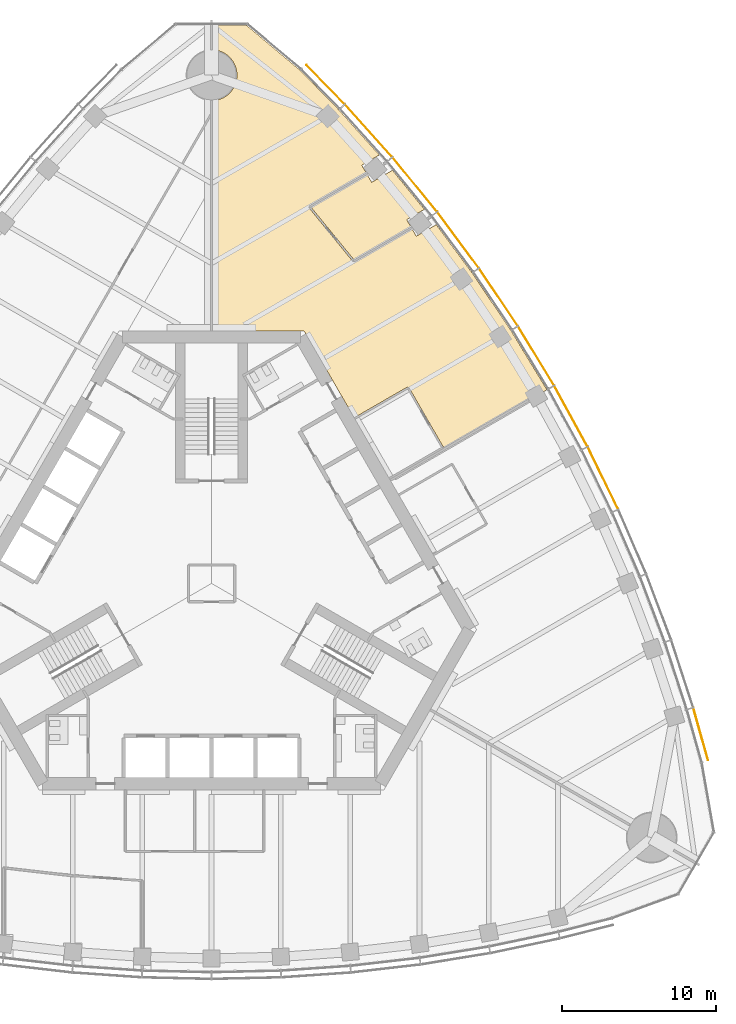
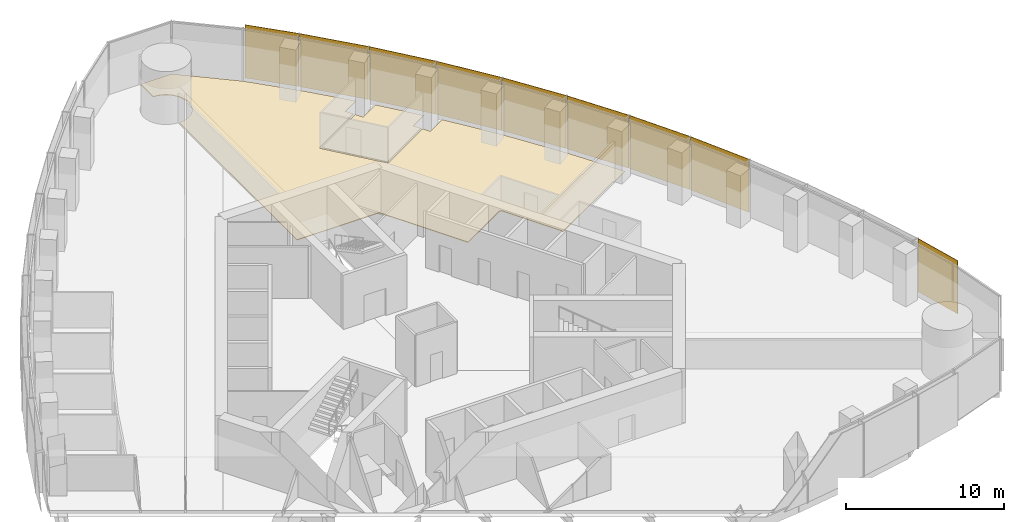
# One storey, part 17 of 19: 9 shading devices, 2 coverings.
"""IFC4 building model written with IfcOpenShell, lengths in metres."""

from ifc_helpers import new_model, si_unit, direction, frame, origin, origin_2d, place, context, subcontext, project, spatial, polyline, rectangle, outline, extrude, material, layer, layer_set, type_object, element, save


model = new_model("IFC4")

# Units and contexts
model_context = context("Model", 3, precision=1e-05, world=origin(), true_north=direction((0.0, 1.0)))
body_context = subcontext(model_context, "Body", "Model", "MODEL_VIEW")
ifc_project = project(units=[si_unit("LENGTHUNIT", "METRE"), si_unit("AREAUNIT", "SQUARE_METRE"), si_unit("VOLUMEUNIT", "CUBIC_METRE"), si_unit("PLANEANGLEUNIT", "RADIAN"), si_unit("MASSUNIT", "GRAM", prefix="KILO")], contexts=[model_context])

# Site, building, storey
site_placement = place(None, origin())
site = spatial("IfcSite", under=ifc_project, at=site_placement, CompositionType="ELEMENT")
building_placement = place(site_placement, origin())
building = spatial("IfcBuilding", under=site, at=building_placement, Name="Trefoil Bronze Tower", CompositionType="ELEMENT")
storey_placement = place(building_placement, frame((0.0, 0.0, 206.5)))
storey = spatial("IfcBuildingStorey", under=building, at=storey_placement, Name="L47", CompositionType="ELEMENT", Elevation=206.5)

# Shading devices
ifc_material_1 = material(Name="Perforated bronze sheet", Category="bronze")
ifc_layer_1 = layer(ifc_material_1, 0.0400390625)
ifc_layer_set_1 = layer_set([ifc_layer_1], Name="Bronze solar screen panel")
shading_device_type = type_object("IfcShadingDeviceType", Name="Bronze solar screen panel", PredefinedType="SHUTTER", material=ifc_layer_set_1)
shading_device_1_placement = place(storey_placement, frame((31.764892578125, -9.7890625, 0.050048828125), z_axis=(0.0, 0.0, 1.0), x_axis=(-0.270282222968, 0.962781138134, 0.0)))
element("IfcShadingDevice", 1, at=shading_device_1_placement, inside=storey, type_object=shading_device_type, Name="Solar screen CW-A L47 F2 bay 1", PredefinedType="SHUTTER", context=body_context, shape_type="SweptSolid", body=[
    extrude(rectangle(XDim=3.53369140625, YDim=0.0400390625, at=origin_2d()), origin(), (0.0, 0.0, 1.0), 4.10009765625),
])
shading_device_2_placement = place(storey_placement, frame((25.4169921875, 6.83740234375, 0.050048828125), z_axis=(0.0, 0.0, 1.0), x_axis=(-0.439129033334, 0.898424004623, 0.0)))
element("IfcShadingDevice", 2, at=shading_device_2_placement, inside=storey, type_object=shading_device_type, Name="Solar screen CW-A L47 F2 bay 5", PredefinedType="SHUTTER", context=body_context, shape_type="SweptSolid", body=[
    extrude(rectangle(XDim=4.480712890625, YDim=0.0400390625, at=origin_2d()), origin(), (0.0, 0.0, 1.0), 4.10009765625),
])
for number, where, z_axis, x_axis, name in (
    (3, (23.3349609375, 10.860107421875, 0.050048828125), (0.0, 0.0, 1.0), (-0.479974003504, 0.877282711536, 0.0), "Solar screen CW-A L47 F2 bay 6"),
    (4, (21.07275390625, 14.77880859375, 0.050048828125), (0.0, 0.0, 1.0), (-0.519762112739, 0.854311035959, 0.0), "Solar screen CW-A L47 F2 bay 7"),
):
    element("IfcShadingDevice", number, at=place(storey_placement, frame(where, z_axis=z_axis, x_axis=x_axis)), inside=storey, type_object=shading_device_type, Name=name, PredefinedType="SHUTTER", context=body_context, shape_type="SweptSolid", body=[
        extrude(rectangle(XDim=4.47119140625, YDim=0.0400390625, at=origin_2d()), origin(), (0.0, 0.0, 1.0), 4.10009765625),
    ])
shading_device_3_placement = place(storey_placement, frame((18.6298828125, 18.59326171875, 0.050048828125), z_axis=(0.0, 0.0, 1.0), x_axis=(-0.558493494706, 0.829508900718, 0.0)))
element("IfcShadingDevice", 5, at=shading_device_3_placement, inside=storey, type_object=shading_device_type, Name="Solar screen CW-A L47 F2 bay 8", PredefinedType="SHUTTER", context=body_context, shape_type="SweptSolid", body=[
    extrude(rectangle(XDim=4.480712890625, YDim=0.0400390625, at=origin_2d()), origin(), (0.0, 0.0, 1.0), 4.10009765625),
])
shading_device_4_placement = place(storey_placement, frame((16.005615234375, 22.302734375, 0.050048828125), z_axis=(0.0, 0.0, 1.0), x_axis=(-0.596161525977, 0.802864518425, 0.0)))
element("IfcShadingDevice", 6, at=shading_device_4_placement, inside=storey, type_object=shading_device_type, Name="Solar screen CW-A L47 F2 bay 9", PredefinedType="SHUTTER", context=body_context, shape_type="SweptSolid", body=[
    extrude(rectangle(XDim=4.5, YDim=0.0400390625, at=origin_2d()), origin(), (0.0, 0.0, 1.0), 4.10009765625),
])
shading_device_5_placement = place(storey_placement, frame((13.197509765625, 25.90625, 0.050048828125), z_axis=(0.0, 0.0, 1.0), x_axis=(-0.63275261301, 0.774354008661, 0.0)))
element("IfcShadingDevice", 7, at=shading_device_5_placement, inside=storey, type_object=shading_device_type, Name="Solar screen CW-A L47 F2 bay 10", PredefinedType="SHUTTER", context=body_context, shape_type="SweptSolid", body=[
    extrude(rectangle(XDim=4.529296875, YDim=0.0400390625, at=origin_2d()), origin(), (0.0, 0.0, 1.0), 4.10009765625),
])
shading_device_6_placement = place(storey_placement, frame((10.20166015625, 29.401611328125, 0.050048828125), z_axis=(0.0, 0.0, 1.0), x_axis=(-0.668245744076, 0.743940606181, 0.0)))
element("IfcShadingDevice", 8, at=shading_device_6_placement, inside=storey, type_object=shading_device_type, Name="Solar screen CW-A L47 F2 bay 11", PredefinedType="SHUTTER", context=body_context, shape_type="SweptSolid", body=[
    extrude(rectangle(XDim=4.5693359375, YDim=0.0400390625, at=origin_2d()), origin(), (0.0, 0.0, 1.0), 4.10009765625),
])
shading_device_7_placement = place(storey_placement, frame((7.40478515625, 32.40380859375, 0.050048828125), z_axis=(0.0, 0.0, 1.0), x_axis=(-0.698651812425, 0.715461840349, 0.0)))
element("IfcShadingDevice", 9, at=shading_device_7_placement, inside=storey, type_object=shading_device_type, Name="Solar screen CW-A L47 F2 bay 12", PredefinedType="SHUTTER", context=body_context, shape_type="SweptSolid", body=[
    extrude(rectangle(XDim=3.53369140625, YDim=0.0400390625, at=origin_2d()), origin(), (0.0, 0.0, 1.0), 4.10009765625),
])

# Coverings
ifc_material_2 = material(Name="Raised access floor panels", Category="steel")
ifc_layer_2 = layer(ifc_material_2, 0.050048828125)
ifc_layer_set_2 = layer_set([ifc_layer_2], Name="Raised access floor 150")
covering_type = type_object("IfcCoveringType", Name="Raised access floor 150", PredefinedType="FLOORING", material=ifc_layer_set_2)
covering_1_placement = place(storey_placement, frame((0.0, 0.0, 0.10009765625)))
element("IfcCovering", 10, at=covering_1_placement, inside=storey, type_object=covering_type, Name="Raised floor L47 Meeting room F2", PredefinedType="FLOORING", context=body_context, shape_type="SweptSolid", body=[
    extrude(outline(polyline([(13.8232421875, 24.287109375), (12.673095703125, 23.623046875), (12.953857421875, 23.13671875), (9.25634765625, 21.001708984375), (6.4482421875, 24.438232421875), (10.105224609375, 26.549560546875), (10.396728515625, 26.044921875), (11.7490234375, 26.825439453125), (13.8232421875, 24.287109375)])), origin(), (0.0, 0.0, 1.0), 0.0498046875),
])
covering_2_placement = place(storey_placement, frame((0.0, 0.0, 0.10009765625)))
element("IfcCovering", 11, at=covering_2_placement, inside=storey, type_object=covering_type, Name="Raised floor L47 Open-plan office F2", PredefinedType="FLOORING", context=body_context, shape_type="SweptSolid", body=[
    extrude(outline(polyline([(0.013671875, 36.232666015625), (2.280029296875, 36.232666015625), (5.7734375, 33.30126953125), (8.26318359375, 30.751708984375), (10.897705078125, 27.81884765625), (9.75390625, 27.158203125), (10.045166015625, 26.653564453125), (6.3271484375, 24.5068359375), (6.357177734375, 24.454833984375), (6.310791015625, 24.4169921875), (9.195556640625, 20.886474609375), (9.2421875, 20.92431640625), (9.272216796875, 20.872314453125), (13.013916015625, 23.03271484375), (13.294677734375, 22.54638671875), (14.5947265625, 23.296875), (16.92236328125, 20.162353515625), (19.44140625, 16.420654296875), (21.780517578125, 12.576171875), (20.58544921875, 11.88623046875), (20.548583984375, 11.9501953125), (15.03125, 8.764892578125), (15.00634765625, 8.808349609375), (15.058349609375, 8.83837890625), (12.808349609375, 12.7353515625), (12.75634765625, 12.705322265625), (12.726318359375, 12.75732421875), (9.26220703125, 10.75732421875), (6.00439453125, 16.39990234375), (0.006103515625, 16.39990234375), (0.01171875, 31.350341796875), (0.0810546875, 31.35205078125), (0.16162109375, 31.35791015625), (0.2421875, 31.367919921875), (0.322021484375, 31.381591796875), (0.40087890625, 31.3994140625), (0.47900390625, 31.4208984375), (0.555908203125, 31.446533203125), (0.63134765625, 31.4755859375), (0.70556640625, 31.50830078125), (0.77783203125, 31.544921875), (0.848388671875, 31.584716796875), (0.916748046875, 31.628173828125), (0.98291015625, 31.6748046875), (1.046630859375, 31.724609375), (1.108154296875, 31.77734375), (1.166748046875, 31.833251953125), (1.22265625, 31.891845703125), (1.275390625, 31.953369140625), (1.3251953125, 32.01708984375), (1.371826171875, 32.083251953125), (1.415283203125, 32.151611328125), (1.455078125, 32.22216796875), (1.49169921875, 32.29443359375), (1.5244140625, 32.36865234375), (1.553466796875, 32.444091796875), (1.5791015625, 32.52099609375), (1.6005859375, 32.59912109375), (1.618408203125, 32.677978515625), (1.632080078125, 32.7578125), (1.64208984375, 32.83837890625), (1.64794921875, 32.9189453125), (1.64990234375, 33.0), (1.64794921875, 33.0810546875), (1.64208984375, 33.16162109375), (1.632080078125, 33.2421875), (1.618408203125, 33.322021484375), (1.6005859375, 33.40087890625), (1.5791015625, 33.47900390625), (1.553466796875, 33.555908203125), (1.5244140625, 33.63134765625), (1.49169921875, 33.70556640625), (1.455078125, 33.77783203125), (1.415283203125, 33.848388671875), (1.371826171875, 33.916748046875), (1.3251953125, 33.98291015625), (1.275390625, 34.046630859375), (1.22265625, 34.108154296875), (1.166748046875, 34.166748046875), (1.108154296875, 34.22265625), (1.046630859375, 34.275390625), (0.98291015625, 34.3251953125), (0.916748046875, 34.371826171875), (0.848388671875, 34.415283203125), (0.77783203125, 34.455078125), (0.70556640625, 34.49169921875), (0.63134765625, 34.5244140625), (0.555908203125, 34.553466796875), (0.47900390625, 34.5791015625), (0.40087890625, 34.6005859375), (0.322021484375, 34.618408203125), (0.2421875, 34.632080078125), (0.16162109375, 34.64208984375), (0.0810546875, 34.64794921875), (0.012939453125, 34.649658203125), (0.013671875, 36.232666015625)])), origin(), (0.0, 0.0, 1.0), 0.0498046875),
])

save(model, "model.ifc")
